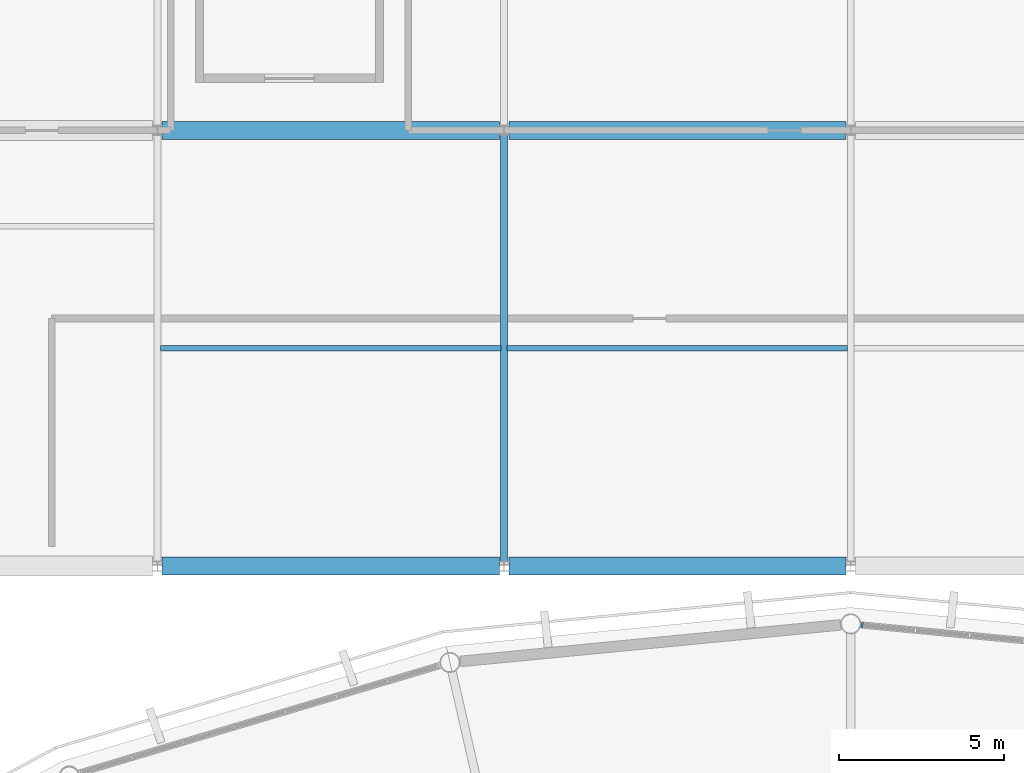
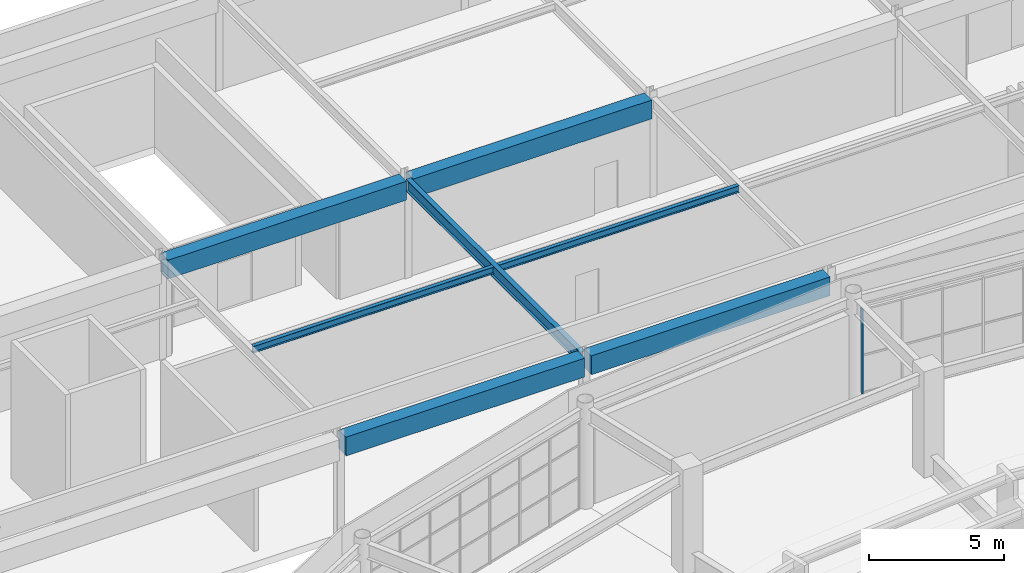
# One storey, part 59 of 122: 7 beams, 1 member, 1 element without a shape of its own.
"""IFC4 building model written with IfcOpenShell, lengths in metres."""

from ifc_helpers import new_model, si_unit, direction, frame, origin, origin_2d, place, context, subcontext, project, spatial, rectangle, i_section, extrude, material, material_profile, profile_set, type_object, element, aggregate, save


model = new_model("IFC4")

# Units and contexts
model_context = context("Model", 3, precision=1e-05, world=origin(), true_north=direction((0.0, 1.0)))
body_context = subcontext(model_context, "Body", "Model", "MODEL_VIEW")
ifc_project = project(units=[si_unit("LENGTHUNIT", "METRE"), si_unit("AREAUNIT", "SQUARE_METRE"), si_unit("VOLUMEUNIT", "CUBIC_METRE"), si_unit("PLANEANGLEUNIT", "RADIAN"), si_unit("MASSUNIT", "GRAM", prefix="KILO")], contexts=[model_context])

# Site, building, storey
site_placement = place(None, origin())
site = spatial("IfcSite", under=ifc_project, at=site_placement, CompositionType="ELEMENT")
building_placement = place(site_placement, origin())
building = spatial("IfcBuilding", under=site, at=building_placement, Name="Cuetzalor Civic Arena", CompositionType="ELEMENT")
storey_placement = place(building_placement, frame((0.0, 0.0, 16.199951171875)))
storey = spatial("IfcBuildingStorey", under=building, at=storey_placement, Name="L03", CompositionType="ELEMENT", Elevation=16.199951171875)

# Beams
ifc_material_1 = material(Name="Concrete C40/50", Category="concrete")
ifc_material_profile_1 = material_profile(ifc_material_1, rectangle(XDim=0.550048828125, YDim=0.85009765625, at=origin_2d()), Name="RC 550x850")
ifc_profile_set_1 = profile_set([ifc_material_profile_1], Name="Concrete C40/50")
beam_type_1 = type_object("IfcBeamType", Name="ConcreteFrameBeam_550x850", PredefinedType="BEAM", material=ifc_profile_set_1)
for number, where, z_axis, x_axis, name in (
    (1, (-20.857421875, 48.300048828125, 4.074951171875), (1.0, 0.0, 0.0), (0.0, 1.0, 0.0), "Frame Girder V5-L03-X1032"),
    (2, (-10.357421875, 48.300048828125, 4.074951171875), (1.0, 0.0, 0.0), (0.0, 1.0, 0.0), "Frame Girder V5-L03-X1033"),
    (3, (-20.857421875, 61.5, 4.074951171875), (1.0, 0.0, 0.0), (0.0, 1.0, 0.0), "Frame Girder V5-L03-X1042"),
    (4, (-10.357421875, 61.5, 4.074951171875), (1.0, 0.0, 0.0), (0.0, 1.0, 0.0), "Frame Girder V5-L03-X1043"),
):
    element("IfcBeam", number, at=place(storey_placement, frame(where, z_axis=z_axis, x_axis=x_axis)), inside=storey, type_object=beam_type_1, Name=name, PredefinedType="BEAM", context=body_context, shape_type="SweptSolid", body=[
        extrude(rectangle(XDim=0.550048828125, YDim=0.85009765625, at=origin_2d()), origin(), (0.0, 0.0, 1.0), 10.21484375),
    ])

# Curtain wall, member
ifc_material_2 = material(Name="Anodised dark bronze aluminium and low-E solar glass", Category="aluminium")
curtain_wall_type = type_object("IfcCurtainWallType", Name="UnitisedCW_11550x3850", PredefinedType="USERDEFINED", material=ifc_material_2)
curtain_wall_placement = place(storey_placement, origin())
curtain_wall = element("IfcCurtainWall", 5, at=curtain_wall_placement, inside=storey, type_object=curtain_wall_type, Name="Drum Triangle Foyer Curtain Wall L03-047", ObjectType="UNITISED CURTAIN WALL", PredefinedType="USERDEFINED")
ifc_material_3 = material(Name="Anodised dark bronze aluminium", Category="aluminium")
ifc_material_profile_2 = material_profile(ifc_material_3, rectangle(XDim=0.06494140625, YDim=0.14990234375, at=origin_2d()), Name="ALU MULLION 65x150")
ifc_profile_set_2 = profile_set([ifc_material_profile_2], Name="Anodised dark bronze aluminium")
member_type = type_object("IfcMemberType", Name="CurtainWallMullion_60x150", PredefinedType="MULLION", material=ifc_profile_set_2)
member_placement = place(storey_placement, frame((0.345703125, 46.516845703125, 0.0), z_axis=(0.0, 0.0, 1.0), x_axis=(0.995409139996, -0.095711253324, 0.0)))
member = element("IfcMember", 6, at=member_placement, type_object=member_type, Name="CW-14 mullion 1", PredefinedType="MULLION", context=body_context, shape_type="SweptSolid", body=[
    extrude(rectangle(XDim=0.06494140625, YDim=0.14990234375, at=origin_2d()), origin(), (0.0, 0.0, 1.0), 3.83203125),
])
aggregate(curtain_wall, [member])

# Beams
ifc_material_4 = material(Name="Steel S355", Category="steel")
ifc_material_profile_3 = material_profile(ifc_material_4, i_section(OverallWidth=0.166015625, OverallDepth=0.31298828125, WebThickness=0.006591796875, FlangeThickness=0.01123046875, at=origin_2d()), Name="W310x45")
ifc_profile_set_3 = profile_set([ifc_material_profile_3], Name="Steel S355")
beam_type_2 = type_object("IfcBeamType", Name="SecondaryRoofJoist_W310", PredefinedType="JOIST", material=ifc_profile_set_3)
for number, where, z_axis, x_axis, name in (
    (7, (-20.903564453125, 54.89990234375, 4.343505859375), (1.0, 0.0, 0.0), (0.0, 1.0, 0.0), "Secondary Floor Joist V5-L03-0321"),
    (8, (-10.403564453125, 54.89990234375, 4.343505859375), (1.0, 0.0, 0.0), (0.0, 1.0, 0.0), "Secondary Floor Joist V5-L03-0322"),
):
    element("IfcBeam", number, at=place(storey_placement, frame(where, z_axis=z_axis, x_axis=x_axis)), inside=storey, type_object=beam_type_2, Name=name, PredefinedType="JOIST", context=body_context, shape_type="SweptSolid", body=[
        extrude(i_section(OverallWidth=0.166015625, OverallDepth=0.31298828125, WebThickness=0.006591796875, FlangeThickness=0.01123046875, at=origin_2d()), origin(), (0.0, 0.0, 1.0), 10.30712890625),
    ])
ifc_material_5 = material(Name="Steel S355", Category="steel")
ifc_material_profile_4 = material_profile(ifc_material_5, i_section(OverallWidth=0.208984375, OverallDepth=0.532958984375, WebThickness=0.01025390625, FlangeThickness=0.015625, at=origin_2d()), Name="W530x92")
ifc_profile_set_4 = profile_set([ifc_material_profile_4], Name="Steel S355")
beam_type_3 = type_object("IfcBeamType", Name="SteelCollarGirder_W530", PredefinedType="BEAM", material=ifc_profile_set_4)
beam_placement = place(storey_placement, frame((-10.5, 48.444091796875, 4.233642578125), z_axis=(0.0, 1.0, 0.0), x_axis=(-1.0, 0.0, 0.0)))
element("IfcBeam", 9, at=beam_placement, inside=storey, type_object=beam_type_3, Name="Frame Girder V5-L03-Y1069", PredefinedType="BEAM", context=body_context, shape_type="SweptSolid", body=[
    extrude(i_section(OverallWidth=0.208984375, OverallDepth=0.532958984375, WebThickness=0.01025390625, FlangeThickness=0.015625, at=origin_2d()), origin(), (0.0, 0.0, 1.0), 12.911865234375),
])

save(model, "model.ifc")
